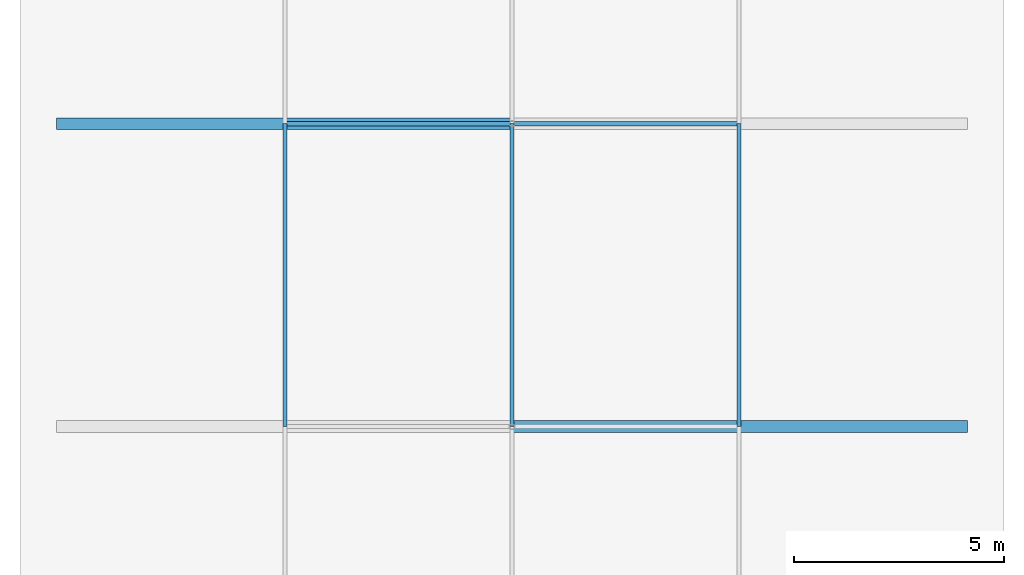
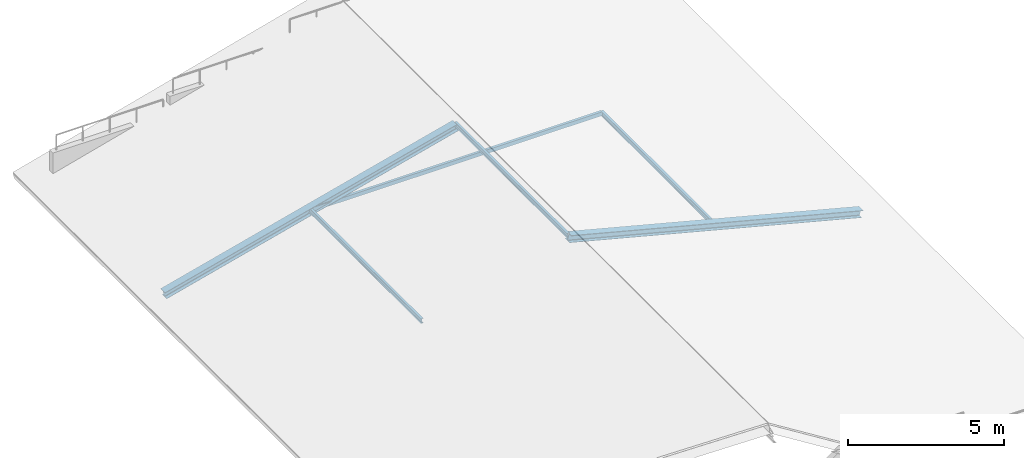
# One storey, part 4 of 8: 6 members.
"""IFC4 building model written with IfcOpenShell, lengths in metres."""

from ifc_helpers import new_model, si_unit, direction, frame, origin, origin_2d, place, context, subcontext, project, spatial, hollow_rectangle, i_section, extrude, material, material_profile, profile_set, type_object, element, save


model = new_model("IFC4")

# Units and contexts
model_context = context("Model", 3, precision=1e-05, world=origin(), true_north=direction((0.0, 1.0)))
body_context = subcontext(model_context, "Body", "Model", "MODEL_VIEW")
ifc_project = project(units=[si_unit("LENGTHUNIT", "METRE"), si_unit("AREAUNIT", "SQUARE_METRE"), si_unit("VOLUMEUNIT", "CUBIC_METRE"), si_unit("PLANEANGLEUNIT", "RADIAN"), si_unit("MASSUNIT", "GRAM", prefix="KILO"), si_unit("THERMODYNAMICTEMPERATUREUNIT", "KELVIN"), si_unit("POWERUNIT", "WATT")], contexts=[model_context])

# Site, building, storey
site_placement = place(None, origin())
site = spatial("IfcSite", under=ifc_project, at=site_placement, CompositionType="ELEMENT")
building_placement = place(site_placement, origin())
building = spatial("IfcBuilding", under=site, at=building_placement, Name="Tavuni Mirador Residences", CompositionType="ELEMENT")
storey_placement = place(building_placement, frame((0.0, 0.0, 51.75)))
storey = spatial("IfcBuildingStorey", under=building, at=storey_placement, Name="RF", CompositionType="ELEMENT", Elevation=51.75)

# Members
ifc_material = material(Name="Structural steel S355", Category="steel")
ifc_material_profile_1 = material_profile(ifc_material, hollow_rectangle(XDim=0.10009765625, YDim=0.14990234375, WallThickness=0.008056640625, at=origin_2d()), Name="RHS 150x100x8.0", Category="steel")
ifc_profile_set_1 = profile_set([ifc_material_profile_1], Name="Structural steel S355")
member_type_1 = type_object("IfcMemberType", Name="MT-BR-RHS150", PredefinedType="BRACE", material=ifc_profile_set_1)
member_1_placement = place(storey_placement, frame((9.0, 28.800048828125, 1.050048828125), z_axis=(1.0, 0.0, 0.0), x_axis=(0.0, 1.0, 0.0)))
element("IfcMember", 1, at=member_1_placement, inside=storey, type_object=member_type_1, Name="RTIE-BLK-A-03", PredefinedType="BRACE", context=body_context, shape_type="SweptSolid", body=[
    extrude(hollow_rectangle(XDim=0.10009765625, YDim=0.14990234375, WallThickness=0.008056640625, at=origin_2d()), origin(), (0.0, 0.0, 1.0), 10.800048828125),
])
ifc_material_profile_2 = material_profile(ifc_material, i_section(OverallWidth=0.280029296875, OverallDepth=0.27001953125, WebThickness=0.008056640625, FlangeThickness=0.012939453125, FilletRadius=0.02392578125, at=origin_2d()), Name="HEA 280", Category="steel")
ifc_profile_set_2 = profile_set([ifc_material_profile_2], Name="Structural steel S355")
member_type_2 = type_object("IfcMemberType", Name="MT-CH-HEA280", PredefinedType="CHORD", material=ifc_profile_set_2)
member_2_placement = place(storey_placement, frame((14.39990234375, 21.60009765625, 2.449951171875), z_axis=(0.967996110632, 0.0, -0.250965196393), x_axis=(0.0, 1.0, 0.0)))
element("IfcMember", 2, at=member_2_placement, inside=storey, type_object=member_type_2, Name="RAF-BLK-A-02-E", PredefinedType="CHORD", context=body_context, shape_type="SweptSolid", body=[
    extrude(i_section(OverallWidth=0.280029296875, OverallDepth=0.27001953125, WebThickness=0.008056640625, FlangeThickness=0.012939453125, FilletRadius=0.02392578125, at=origin_2d()), origin(), (0.0, 0.0, 1.0), 11.1572265625),
])
member_3_placement = place(storey_placement, frame((3.60009765625, 28.800048828125, -0.35009765625), z_axis=(0.96799473238, 0.0, 0.250970512381), x_axis=(0.0, 1.0, 0.0)))
element("IfcMember", 3, at=member_3_placement, inside=storey, type_object=member_type_2, Name="RAF-BLK-A-03-W", PredefinedType="CHORD", context=body_context, shape_type="SweptSolid", body=[
    extrude(i_section(OverallWidth=0.280029296875, OverallDepth=0.27001953125, WebThickness=0.008056640625, FlangeThickness=0.012939453125, FilletRadius=0.02392578125, at=origin_2d()), origin(), (0.0, 0.0, 1.0), 11.156982421875),
])
ifc_material_profile_3 = material_profile(ifc_material, i_section(OverallWidth=0.091064453125, OverallDepth=0.179931640625, WebThickness=0.00537109375, FlangeThickness=0.008056640625, FilletRadius=0.009033203125, at=origin_2d()), Name="IPE 180", Category="steel")
ifc_profile_set_3 = profile_set([ifc_material_profile_3], Name="Structural steel S355")
member_type_3 = type_object("IfcMemberType", Name="MT-PR-IPE180", PredefinedType="PURLIN", material=ifc_profile_set_3)
for number, where, z_axis, x_axis, name in (
    (4, (9.0, 21.60009765625, 1.06005859375), (0.0, 1.0, 0.0), (-1.0, 0.0, 0.0), "RPUR-BLK-A-25-02"),
    (5, (14.39990234375, 21.60009765625, 2.510009765625), (0.0, 1.0, 0.0), (-1.0, 0.0, 0.0), "RPUR-BLK-A-50-02"),
    (6, (19.800048828125, 21.60009765625, 1.06005859375), (0.0, 1.0, 0.0), (-1.0, 0.0, 0.0), "RPUR-BLK-A-75-02"),
):
    element("IfcMember", number, at=place(storey_placement, frame(where, z_axis=z_axis, x_axis=x_axis)), inside=storey, type_object=member_type_3, Name=name, PredefinedType="PURLIN", context=body_context, shape_type="SweptSolid", body=[
        extrude(i_section(OverallWidth=0.091064453125, OverallDepth=0.179931640625, WebThickness=0.00537109375, FlangeThickness=0.008056640625, FilletRadius=0.009033203125, at=origin_2d()), origin(), (0.0, 0.0, 1.0), 7.199951171875),
    ])

save(model, "model.ifc")
